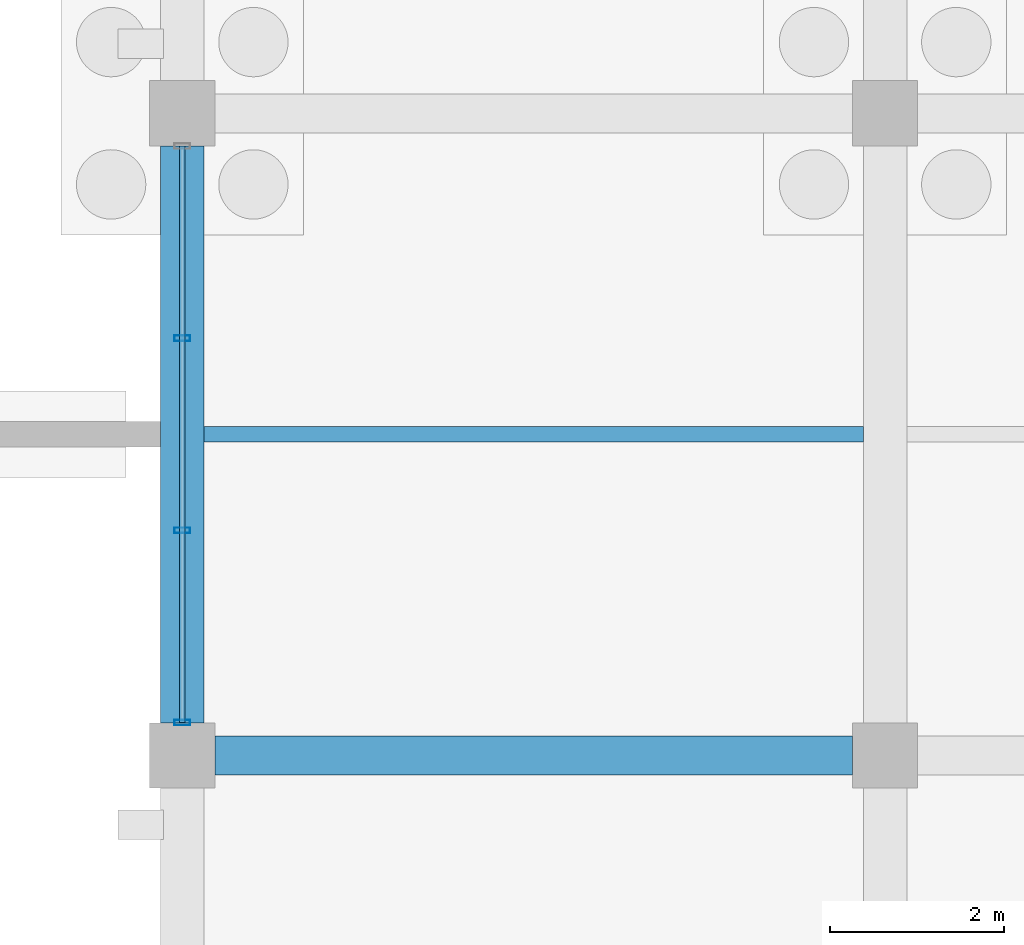
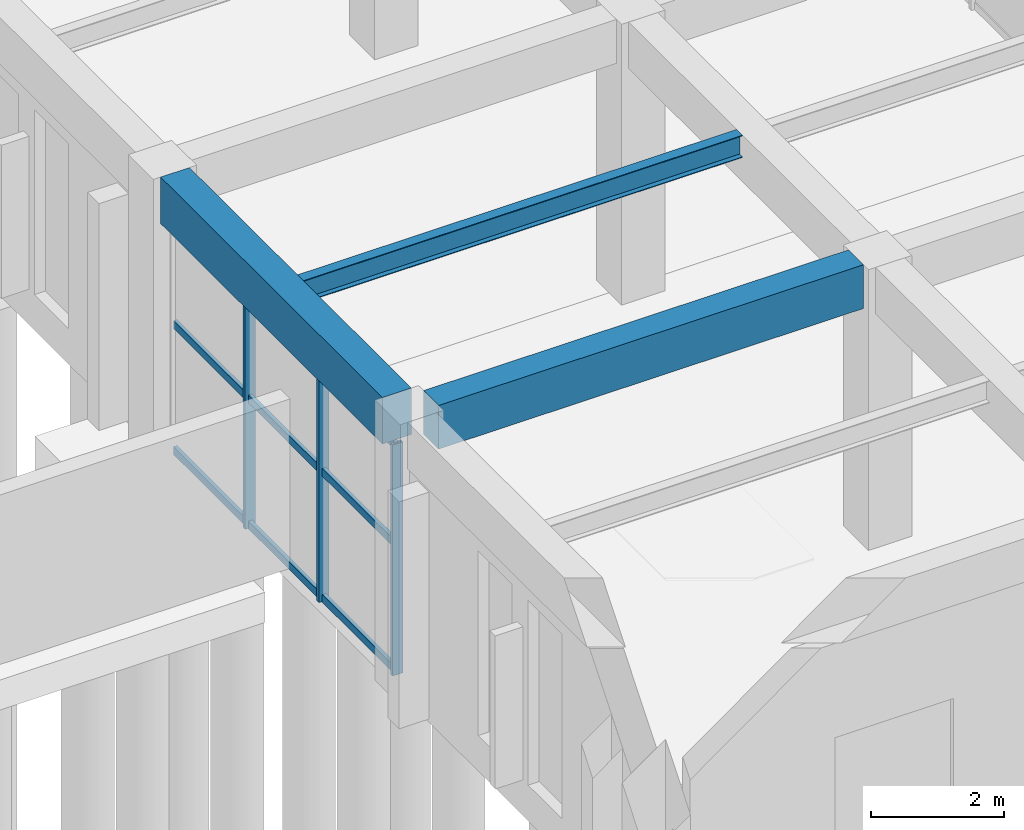
# One storey, part 59 of 140: 6 members, 3 beams, 1 element without a shape of its own.
"""IFC4 building model written with IfcOpenShell, lengths in metres."""

from ifc_helpers import new_model, si_unit, direction, frame, origin, origin_2d, place, context, subcontext, project, spatial, rectangle, hollow_rectangle, i_section, extrude, material, material_profile, profile_set, type_object, element, aggregate, save


model = new_model("IFC4")

# Units and contexts
model_context = context("Model", 3, precision=1e-05, world=origin(), true_north=direction((0.0, 1.0)))
body_context = subcontext(model_context, "Body", "Model", "MODEL_VIEW")
ifc_project = project(units=[si_unit("LENGTHUNIT", "METRE"), si_unit("AREAUNIT", "SQUARE_METRE"), si_unit("VOLUMEUNIT", "CUBIC_METRE"), si_unit("PLANEANGLEUNIT", "RADIAN"), si_unit("MASSUNIT", "GRAM", prefix="KILO")], contexts=[model_context])

# Site, building, storey
site_placement = place(None, origin())
site = spatial("IfcSite", under=ifc_project, at=site_placement, CompositionType="ELEMENT")
building_placement = place(site_placement, origin())
building = spatial("IfcBuilding", under=site, at=building_placement, Name="Cimatlan Art Gallery", CompositionType="ELEMENT")
storey_placement = place(building_placement, origin())
storey = spatial("IfcBuildingStorey", under=building, at=storey_placement, Name="L00", CompositionType="ELEMENT", Elevation=0.0)

# Beams
ifc_material_1 = material(Name="Concrete C40/50", Category="concrete")
ifc_material_profile_1 = material_profile(ifc_material_1, rectangle(XDim=0.449951171875, YDim=0.800048828125, at=origin_2d()), Name="RC450X800")
ifc_profile_set_1 = profile_set([ifc_material_profile_1], Name="Concrete C40/50")
beam_type_1 = type_object("IfcBeamType", Name="BM-RC-450X800", PredefinedType="BEAM", material=ifc_profile_set_1)
beam_1_placement = place(storey_placement, frame((34.77490234375, 68.300048828125, 4.735107421875), z_axis=(1.0, 0.0, 0.0), x_axis=(0.0, 1.0, 0.0)))
element("IfcBeam", 1, at=beam_1_placement, inside=storey, type_object=beam_type_1, Name="BM-X-L00-04-09", PredefinedType="BEAM", context=body_context, shape_type="SweptSolid", body=[
    extrude(rectangle(XDim=0.449951171875, YDim=0.800048828125, at=origin_2d()), origin(), (0.0, 0.0, 1.0), 7.35009765625),
])
ifc_material_profile_2 = material_profile(ifc_material_1, rectangle(XDim=0.5, YDim=0.85009765625, at=origin_2d()), Name="RC500X850")
ifc_profile_set_2 = profile_set([ifc_material_profile_2], Name="Concrete C40/50")
beam_type_2 = type_object("IfcBeamType", Name="BM-RC-500X850", PredefinedType="BEAM", material=ifc_profile_set_2)
beam_2_placement = place(storey_placement, frame((34.39990234375, 68.675048828125, 4.7099609375), z_axis=(0.0, 1.0, 0.0), x_axis=(-1.0, 0.0, 0.0)))
element("IfcBeam", 2, at=beam_2_placement, inside=storey, type_object=beam_type_2, Name="BM-Y-L00-04-09", PredefinedType="BEAM", context=body_context, shape_type="SweptSolid", body=[
    extrude(rectangle(XDim=0.5, YDim=0.85009765625, at=origin_2d()), origin(), (0.0, 0.0, 1.0), 6.64990234375),
])
ifc_material_2 = material(Name="Steel ASTM A992 Grade 50", Category="steel")
ifc_material_profile_3 = material_profile(ifc_material_2, i_section(OverallWidth=0.177978515625, OverallDepth=0.406982421875, WebThickness=0.0078125, FlangeThickness=0.0126953125, at=origin_2d()), Name="W16X40")
ifc_profile_set_3 = profile_set([ifc_material_profile_3], Name="Steel ASTM A992 Grade 50")
beam_type_3 = type_object("IfcBeamType", Name="BM-STL-W16X40", PredefinedType="JOIST", material=ifc_profile_set_3)
beam_3_placement = place(storey_placement, frame((34.64990234375, 72.0, 4.931396484375), z_axis=(1.0, 0.0, 0.0), x_axis=(0.0, 1.0, 0.0)))
element("IfcBeam", 3, at=beam_3_placement, inside=storey, type_object=beam_type_3, Name="JST-L00-04-09", PredefinedType="JOIST", context=body_context, shape_type="SweptSolid", body=[
    extrude(i_section(OverallWidth=0.177978515625, OverallDepth=0.406982421875, WebThickness=0.0078125, FlangeThickness=0.0126953125, at=origin_2d()), origin(), (0.0, 0.0, 1.0), 7.60009765625),
])

# Curtain wall, members
ifc_material_3 = material(Name="Anodised bronze unitised curtain wall")
curtain_wall_type = type_object("IfcCurtainWallType", Name="CW-V-06642X04225-B3", PredefinedType="NOTDEFINED", material=ifc_material_3)
curtain_wall_placement = place(storey_placement, origin())
curtain_wall = element("IfcCurtainWall", 4, at=curtain_wall_placement, inside=storey, type_object=curtain_wall_type, Name="CW-L00-04-09-W", PredefinedType="NOTDEFINED")
ifc_material_4 = material(Name="Anodised bronze aluminium 6063-T6", Category="aluminium")
ifc_material_profile_4 = material_profile(ifc_material_4, hollow_rectangle(XDim=0.06494140625, YDim=0.179931640625, WallThickness=0.00390625, at=origin_2d()), Name="ALU65X180X4")
ifc_profile_set_4 = profile_set([ifc_material_profile_4], Name="Anodised bronze aluminium 6063-T6")
member_type_1 = type_object("IfcMemberType", Name="CW-MUL-180", PredefinedType="MULLION", material=ifc_profile_set_4)
member_1_placement = place(storey_placement, frame((34.39990234375, 68.678955078125, 0.0), z_axis=(0.0, 0.0, 1.0), x_axis=(0.0, 1.0, 0.0)))
member_1 = element("IfcMember", 5, at=member_1_placement, type_object=member_type_1, Name="CW-L00-04-09-W-M1", PredefinedType="MULLION", context=body_context, shape_type="SweptSolid", body=[
    extrude(hollow_rectangle(XDim=0.06494140625, YDim=0.179931640625, WallThickness=0.00390625, at=origin_2d()), origin(), (0.0, 0.0, 1.0), 4.22509765625),
])
member_2_placement = place(storey_placement, frame((34.39990234375, 70.89306640625, 0.0), z_axis=(0.0, 0.0, 1.0), x_axis=(0.0, 1.0, 0.0)))
member_2 = element("IfcMember", 6, at=member_2_placement, type_object=member_type_1, Name="CW-L00-04-09-W-M2", PredefinedType="MULLION", context=body_context, shape_type="SweptSolid", body=[
    extrude(hollow_rectangle(XDim=0.06494140625, YDim=0.179931640625, WallThickness=0.00390625, at=origin_2d()), origin(), (0.0, 0.0, 1.0), 4.22509765625),
])
member_3_placement = place(storey_placement, frame((34.39990234375, 73.10693359375, 0.0), z_axis=(0.0, 0.0, 1.0), x_axis=(0.0, 1.0, 0.0)))
member_3 = element("IfcMember", 7, at=member_3_placement, type_object=member_type_1, Name="CW-L00-04-09-W-M3", PredefinedType="MULLION", context=body_context, shape_type="SweptSolid", body=[
    extrude(hollow_rectangle(XDim=0.06494140625, YDim=0.179931640625, WallThickness=0.00390625, at=origin_2d()), origin(), (0.0, 0.0, 1.0), 4.22509765625),
])
ifc_material_profile_5 = material_profile(ifc_material_4, hollow_rectangle(XDim=0.06494140625, YDim=0.139892578125, WallThickness=0.00390625, at=origin_2d()), Name="ALU65X140X4")
ifc_profile_set_5 = profile_set([ifc_material_profile_5], Name="Anodised bronze aluminium 6063-T6")
member_type_2 = type_object("IfcMemberType", Name="CW-TRN-140", PredefinedType="USERDEFINED", material=ifc_profile_set_5)
member_4_placement = place(storey_placement, frame((34.39990234375, 68.678955078125, 0.06005859375), z_axis=(0.0, 1.0, 0.0), x_axis=(-1.0, 0.0, 0.0)))
member_4 = element("IfcMember", 8, at=member_4_placement, type_object=member_type_2, Name="CW-L00-04-09-W-T1", ObjectType="TRANSOM", PredefinedType="USERDEFINED", context=body_context, shape_type="SweptSolid", body=[
    extrude(hollow_rectangle(XDim=0.06494140625, YDim=0.139892578125, WallThickness=0.00390625, at=origin_2d()), origin(), (0.0, 0.0, 1.0), 6.64208984375),
])
member_5_placement = place(storey_placement, frame((34.39990234375, 68.678955078125, 2.365966796875), z_axis=(0.0, 1.0, 0.0), x_axis=(-1.0, 0.0, 0.0)))
member_5 = element("IfcMember", 9, at=member_5_placement, type_object=member_type_2, Name="CW-L00-04-09-W-T2", ObjectType="TRANSOM", PredefinedType="USERDEFINED", context=body_context, shape_type="SweptSolid", body=[
    extrude(hollow_rectangle(XDim=0.06494140625, YDim=0.139892578125, WallThickness=0.00390625, at=origin_2d()), origin(), (0.0, 0.0, 1.0), 6.64208984375),
])
member_6_placement = place(storey_placement, frame((34.39990234375, 68.678955078125, 4.1650390625), z_axis=(0.0, 1.0, 0.0), x_axis=(-1.0, 0.0, 0.0)))
member_6 = element("IfcMember", 10, at=member_6_placement, type_object=member_type_2, Name="CW-L00-04-09-W-T3", ObjectType="TRANSOM", PredefinedType="USERDEFINED", context=body_context, shape_type="SweptSolid", body=[
    extrude(hollow_rectangle(XDim=0.06494140625, YDim=0.139892578125, WallThickness=0.00390625, at=origin_2d()), origin(), (0.0, 0.0, 1.0), 6.64208984375),
])
aggregate(curtain_wall, [member_1, member_2, member_3, member_4, member_5, member_6])

save(model, "model.ifc")
